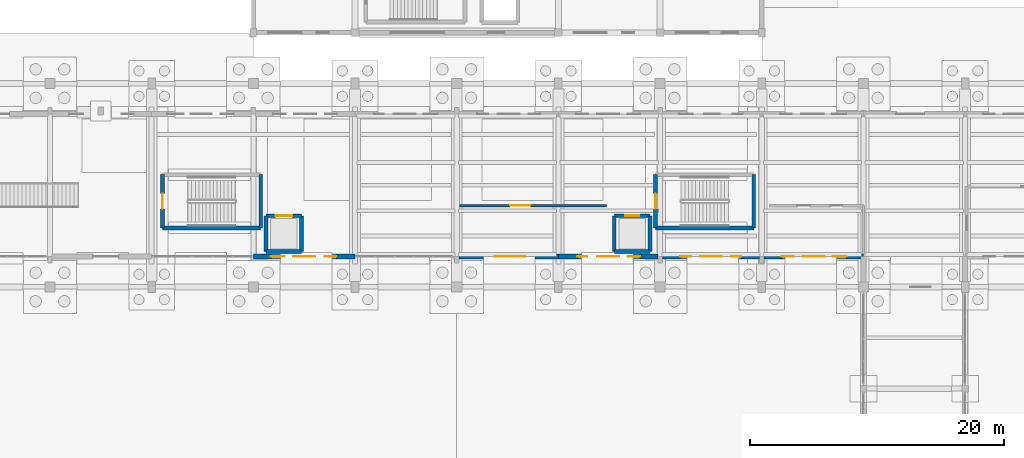
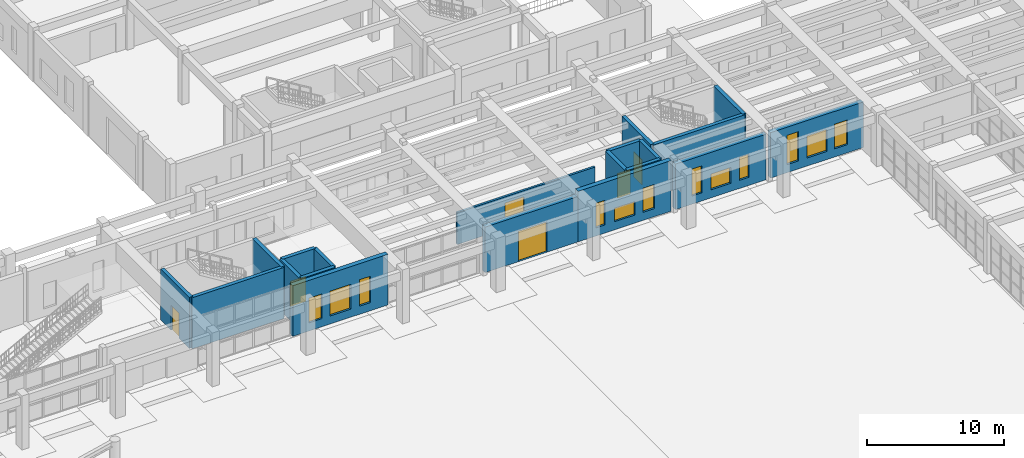
# One storey, part 46 of 68: 20 walls, 12 windows, 6 doors, 18 openings.
"""IFC4 building model written with IfcOpenShell, lengths in metres."""

from ifc_helpers import new_model, si_unit, direction, frame, frame_2d, origin, place, context, subcontext, project, spatial, rectangle, extrude, material, layer, layer_set, type_object, element, fill, save


model = new_model("IFC4")

# Units and contexts
model_context = context("Model", 3, precision=1e-05, world=origin(), true_north=direction((0.0, 1.0)))
body_context = subcontext(model_context, "Body", "Model", "MODEL_VIEW")
ifc_project = project(units=[si_unit("LENGTHUNIT", "METRE"), si_unit("AREAUNIT", "SQUARE_METRE"), si_unit("VOLUMEUNIT", "CUBIC_METRE"), si_unit("PLANEANGLEUNIT", "RADIAN"), si_unit("MASSUNIT", "GRAM", prefix="KILO")], contexts=[model_context])

# Site, building, storey
site_placement = place(None, origin())
site = spatial("IfcSite", under=ifc_project, at=site_placement, CompositionType="ELEMENT")
building_placement = place(site_placement, origin())
building = spatial("IfcBuilding", under=site, at=building_placement, Name="Serraluz Foothill Cableway Terminal", CompositionType="ELEMENT")
storey_placement = place(building_placement, origin())
storey = spatial("IfcBuildingStorey", under=building, at=storey_placement, Name="L00", CompositionType="ELEMENT", Elevation=0.0)

# Wall, openings, windows
ifc_material_1 = material(Name="Dark clinker clay masonry brick (f'm 14 MPa)", Category="masonry")
ifc_layer_1 = layer(ifc_material_1, 0.3798828125, Name="Dark clinker clay masonry brick (f'm 14 MPa)", Category="masonry")
ifc_layer_set_1 = layer_set([ifc_layer_1], Name="Dark clinker clay masonry brick (f'm 14 MPa)")
wall_type_1 = type_object("IfcWallType", Name="TYP-WL-EXT-380", PredefinedType="STANDARD", material=ifc_layer_set_1)
wall_1_placement = place(storey_placement, frame((80.0, 58.39990234375, 0.0), z_axis=(0.0, 0.0, 1.0), x_axis=(-1.0, 0.0, 0.0)))
wall_1 = element("IfcWall", 1, at=wall_1_placement, inside=storey, type_object=wall_type_1, Name="Exterior Masonry Wall EW-V1S-L00-72", PredefinedType="STANDARD", context=body_context, shape_type="SweptSolid", body=[
    extrude(rectangle(XDim=8.0, YDim=0.3798828125, at=frame_2d((4.0, 0.0))), origin(), (0.0, 0.0, 1.0), 4.5),
])
opening_1_placement = place(wall_1_placement, frame((1.469970703125, 0.0, 0.719970703125)))
opening_1 = element("IfcOpeningElement", 2, at=opening_1_placement, cuts=wall_1, Name="Opening W-37", PredefinedType="OPENING", context=body_context, shape_type="SweptSolid", body=[
    extrude(rectangle(XDim=0.89990234375, YDim=2.35009765625, at=frame_2d((0.449951171875, 1.175048828125))), frame((0.0, 0.199951171875, 0.0), z_axis=(0.0, -1.0, 0.0), x_axis=(1.0, 0.0, 0.0)), (0.0, 0.0, 1.0), 0.39990234375),
])
opening_2_placement = place(wall_1_placement, frame((3.1201171875, 0.0, 0.719970703125)))
opening_2 = element("IfcOpeningElement", 3, at=opening_2_placement, cuts=wall_1, Name="Opening W-10", PredefinedType="OPENING", context=body_context, shape_type="SweptSolid", body=[
    extrude(rectangle(XDim=1.760009765625, YDim=2.199951171875, at=frame_2d((0.8798828125, 1.10009765625))), frame((0.0, 0.199951171875, 0.0), z_axis=(0.0, -1.0, 0.0), x_axis=(1.0, 0.0, 0.0)), (0.0, 0.0, 1.0), 0.39990234375),
])
opening_3_placement = place(wall_1_placement, frame((5.530029296875, 0.0, 0.719970703125)))
opening_3 = element("IfcOpeningElement", 4, at=opening_3_placement, cuts=wall_1, Name="Opening W-04", PredefinedType="OPENING", context=body_context, shape_type="SweptSolid", body=[
    extrude(rectangle(XDim=1.10009765625, YDim=2.199951171875, at=frame_2d((0.550048828125, 1.10009765625))), frame((0.0, 0.199951171875, 0.0), z_axis=(0.0, -1.0, 0.0), x_axis=(1.0, 0.0, 0.0)), (0.0, 0.0, 1.0), 0.39990234375),
])
ifc_material_2 = material(Name="Laminated low-E safety glass", Category="glass")
window_type_1 = type_object("IfcWindowType", Name="TYP-WN-090X235", PartitioningType="SINGLE_PANEL", PredefinedType="WINDOW", material=ifc_material_2)
window_1_placement = place(opening_1_placement, origin())
window_1 = element("IfcWindow", 5, at=window_1_placement, inside=storey, type_object=window_type_1, Name="Exterior Window EW-V1S-L00-72-WN1", OverallHeight=2.35009765625, OverallWidth=0.89990234375, PartitioningType="SINGLE_PANEL", PredefinedType="WINDOW", context=body_context, shape_type="SweptSolid", body=[
    extrude(rectangle(XDim=0.89990234375, YDim=2.35009765625, at=frame_2d((0.449951171875, 1.175048828125))), frame((0.0, 0.030029296875, 0.0), z_axis=(0.0, -1.0, 0.0), x_axis=(1.0, 0.0, 0.0)), (0.0, 0.0, 1.0), 0.06005859375),
])
fill(opening_1, window_1)
window_type_2 = type_object("IfcWindowType", Name="TYP-WN-110X220", PartitioningType="SINGLE_PANEL", PredefinedType="WINDOW", material=ifc_material_2)
window_2_placement = place(opening_3_placement, origin())
window_2 = element("IfcWindow", 6, at=window_2_placement, inside=storey, type_object=window_type_2, Name="Exterior Window EW-V1S-L00-72-WN3", OverallHeight=2.199951171875, OverallWidth=1.10009765625, PartitioningType="SINGLE_PANEL", PredefinedType="WINDOW", context=body_context, shape_type="SweptSolid", body=[
    extrude(rectangle(XDim=1.10009765625, YDim=2.199951171875, at=frame_2d((0.550048828125, 1.10009765625))), frame((0.0, 0.030029296875, 0.0), z_axis=(0.0, -1.0, 0.0), x_axis=(1.0, 0.0, 0.0)), (0.0, 0.0, 1.0), 0.06005859375),
])
fill(opening_3, window_2)
window_type_3 = type_object("IfcWindowType", Name="TYP-WN-180X220", PartitioningType="DOUBLE_PANEL_VERTICAL", PredefinedType="WINDOW", material=ifc_material_2)
window_3_placement = place(opening_2_placement, origin())
window_3 = element("IfcWindow", 7, at=window_3_placement, inside=storey, type_object=window_type_3, Name="Exterior Window EW-V1S-L00-72-WN2", OverallHeight=2.199951171875, OverallWidth=1.760009765625, PartitioningType="SINGLE_PANEL", PredefinedType="WINDOW", context=body_context, shape_type="SweptSolid", body=[
    extrude(rectangle(XDim=1.760009765625, YDim=2.199951171875, at=frame_2d((0.8798828125, 1.10009765625))), frame((0.0, 0.030029296875, 0.0), z_axis=(0.0, -1.0, 0.0), x_axis=(1.0, 0.0, 0.0)), (0.0, 0.0, 1.0), 0.06005859375),
])
fill(opening_2, window_3)

# Wall, opening, door
wall_2_placement = place(storey_placement, frame((96.0, 58.39990234375, 0.0), z_axis=(0.0, 0.0, 1.0), x_axis=(-1.0, 0.0, 0.0)))
wall_2 = element("IfcWall", 8, at=wall_2_placement, inside=storey, type_object=wall_type_1, Name="Exterior Masonry Wall EW-V1S-L00-88", PredefinedType="STANDARD", context=body_context, shape_type="SweptSolid", body=[
    extrude(rectangle(XDim=7.824951171875, YDim=0.3798828125, at=frame_2d((3.91259765625, 0.0))), origin(), (0.0, 0.0, 1.0), 4.050048828125),
])
opening_4_placement = place(wall_2_placement, frame((2.60009765625, 0.0, 0.0)))
opening_4 = element("IfcOpeningElement", 9, at=opening_4_placement, cuts=wall_2, Name="Opening DE-03", PredefinedType="OPENING", context=body_context, shape_type="SweptSolid", body=[
    extrude(rectangle(XDim=2.39990234375, YDim=2.699951171875, at=frame_2d((1.199951171875, 1.35009765625))), frame((0.0, 0.199951171875, 0.0), z_axis=(0.0, -1.0, 0.0), x_axis=(1.0, 0.0, 0.0)), (0.0, 0.0, 1.0), 0.39990234375),
])
ifc_material_3 = material(Name="Architectural bronze alloy C28000", Category="aluminium")
door_type_1 = type_object("IfcDoorType", Name="TYP-DR-EX-2400", OperationType="DOUBLE_DOOR_SINGLE_SWING", PredefinedType="DOOR", material=ifc_material_3)
door_1_placement = place(opening_4_placement, origin())
door_1 = element("IfcDoor", 10, at=door_1_placement, inside=storey, type_object=door_type_1, Name="Main pedestrian exit door D-EX04", OperationType="DOUBLE_DOOR_SINGLE_SWING", OverallHeight=2.699951171875, OverallWidth=2.39990234375, PredefinedType="DOOR", context=body_context, shape_type="SweptSolid", body=[
    extrude(rectangle(XDim=2.39990234375, YDim=2.699951171875, at=frame_2d((1.199951171875, 1.35009765625))), frame((0.0, 0.02490234375, 0.0), z_axis=(0.0, -1.0, 0.0), x_axis=(1.0, 0.0, 0.0)), (0.0, 0.0, 1.0), 0.050048828125),
])
fill(opening_4, door_1)

# Wall, openings, windows
wall_3_placement = place(storey_placement, frame((103.824951171875, 58.39990234375, 0.0), z_axis=(0.0, 0.0, 1.0), x_axis=(-1.0, 0.0, 0.0)))
wall_3 = element("IfcWall", 11, at=wall_3_placement, inside=storey, type_object=wall_type_1, Name="Exterior Masonry Wall EW-V1S-L00-96", PredefinedType="STANDARD", context=body_context, shape_type="SweptSolid", body=[
    extrude(rectangle(XDim=7.824951171875, YDim=0.3798828125, at=frame_2d((3.91259765625, 0.0))), origin(), (0.0, 0.0, 1.0), 4.5),
])
opening_5_placement = place(wall_3_placement, frame((1.387939453125, 0.0, 0.719970703125)))
opening_5 = element("IfcOpeningElement", 12, at=opening_5_placement, cuts=wall_3, Name="Opening W-49", PredefinedType="OPENING", context=body_context, shape_type="SweptSolid", body=[
    extrude(rectangle(XDim=0.97998046875, YDim=2.14990234375, at=frame_2d((0.489990234375, 1.074951171875))), frame((0.0, 0.199951171875, 0.0), z_axis=(0.0, -1.0, 0.0), x_axis=(1.0, 0.0, 0.0)), (0.0, 0.0, 1.0), 0.39990234375),
])
opening_6_placement = place(wall_3_placement, frame((3.051513671875, 0.0, 0.719970703125)))
opening_6 = element("IfcOpeningElement", 13, at=opening_6_placement, cuts=wall_3, Name="Opening W-19", PredefinedType="OPENING", context=body_context, shape_type="SweptSolid", body=[
    extrude(rectangle(XDim=1.721923828125, YDim=1.199951171875, at=frame_2d((0.86083984375, 0.60009765625))), frame((0.0, 0.199951171875, 0.0), z_axis=(0.0, -1.0, 0.0), x_axis=(1.0, 0.0, 0.0)), (0.0, 0.0, 1.0), 0.39990234375),
])
opening_7_placement = place(wall_3_placement, frame((5.572021484375, 0.0, 0.719970703125)))
opening_7 = element("IfcOpeningElement", 14, at=opening_7_placement, cuts=wall_3, Name="Opening W-01", PredefinedType="OPENING", context=body_context, shape_type="SweptSolid", body=[
    extrude(rectangle(XDim=0.75, YDim=2.199951171875, at=frame_2d((0.375, 1.10009765625))), frame((0.0, 0.199951171875, 0.0), z_axis=(0.0, -1.0, 0.0), x_axis=(1.0, 0.0, 0.0)), (0.0, 0.0, 1.0), 0.39990234375),
])
window_type_4 = type_object("IfcWindowType", Name="TYP-WN-075X220", PartitioningType="SINGLE_PANEL", PredefinedType="WINDOW", material=ifc_material_2)
window_4_placement = place(opening_7_placement, origin())
window_4 = element("IfcWindow", 15, at=window_4_placement, inside=storey, type_object=window_type_4, Name="Exterior Window EW-V1S-L00-96-WN3", OverallHeight=2.199951171875, OverallWidth=0.75, PartitioningType="SINGLE_PANEL", PredefinedType="WINDOW", context=body_context, shape_type="SweptSolid", body=[
    extrude(rectangle(XDim=0.75, YDim=2.199951171875, at=frame_2d((0.375, 1.10009765625))), frame((0.0, 0.030029296875, 0.0), z_axis=(0.0, -1.0, 0.0), x_axis=(1.0, 0.0, 0.0)), (0.0, 0.0, 1.0), 0.06005859375),
])
fill(opening_7, window_4)
window_type_5 = type_object("IfcWindowType", Name="TYP-WN-098X215", PartitioningType="SINGLE_PANEL", PredefinedType="WINDOW", material=ifc_material_2)
window_5_placement = place(opening_5_placement, origin())
window_5 = element("IfcWindow", 16, at=window_5_placement, inside=storey, type_object=window_type_5, Name="Exterior Window EW-V1S-L00-96-WN1", OverallHeight=2.14990234375, OverallWidth=0.97998046875, PartitioningType="SINGLE_PANEL", PredefinedType="WINDOW", context=body_context, shape_type="SweptSolid", body=[
    extrude(rectangle(XDim=0.97998046875, YDim=2.14990234375, at=frame_2d((0.489990234375, 1.074951171875))), frame((0.0, 0.030029296875, 0.0), z_axis=(0.0, -1.0, 0.0), x_axis=(1.0, 0.0, 0.0)), (0.0, 0.0, 1.0), 0.06005859375),
])
fill(opening_5, window_5)
window_type_6 = type_object("IfcWindowType", Name="TYP-WN-360X120", PartitioningType="DOUBLE_PANEL_HORIZONTAL", PredefinedType="WINDOW", material=ifc_material_2)
window_6_placement = place(opening_6_placement, origin())
window_6 = element("IfcWindow", 17, at=window_6_placement, inside=storey, type_object=window_type_6, Name="Exterior Window EW-V1S-L00-96-WN2", OverallHeight=1.199951171875, OverallWidth=1.721923828125, PartitioningType="SINGLE_PANEL", PredefinedType="WINDOW", context=body_context, shape_type="SweptSolid", body=[
    extrude(rectangle(XDim=1.721923828125, YDim=1.199951171875, at=frame_2d((0.86083984375, 0.60009765625))), frame((0.0, 0.030029296875, 0.0), z_axis=(0.0, -1.0, 0.0), x_axis=(1.0, 0.0, 0.0)), (0.0, 0.0, 1.0), 0.06005859375),
])
fill(opening_6, window_6)

wall_4_placement = place(storey_placement, frame((111.824951171875, 58.39990234375, 0.0), z_axis=(0.0, 0.0, 1.0), x_axis=(-1.0, 0.0, 0.0)))
wall_4 = element("IfcWall", 18, at=wall_4_placement, inside=storey, type_object=wall_type_1, Name="Exterior Masonry Wall EW-V1S-L00-104", PredefinedType="STANDARD", context=body_context, shape_type="SweptSolid", body=[
    extrude(rectangle(XDim=7.64990234375, YDim=0.3798828125, at=frame_2d((3.824951171875, 0.0))), origin(), (0.0, 0.0, 1.0), 4.050048828125),
])
opening_8_placement = place(wall_4_placement, frame((1.43603515625, 0.0, 0.719970703125)))
opening_8 = element("IfcOpeningElement", 19, at=opening_8_placement, cuts=wall_4, Name="Opening W-36", PredefinedType="OPENING", context=body_context, shape_type="SweptSolid", body=[
    extrude(rectangle(XDim=0.800048828125, YDim=2.050048828125, at=frame_2d((0.39990234375, 1.02490234375))), frame((0.0, 0.199951171875, 0.0), z_axis=(0.0, -1.0, 0.0), x_axis=(1.0, 0.0, 0.0)), (0.0, 0.0, 1.0), 0.39990234375),
])
opening_9_placement = place(wall_4_placement, frame((2.9833984375, 0.0, 0.719970703125)))
opening_9 = element("IfcOpeningElement", 20, at=opening_9_placement, cuts=wall_4, Name="Opening W-23", PredefinedType="OPENING", context=body_context, shape_type="SweptSolid", body=[
    extrude(rectangle(XDim=1.68310546875, YDim=1.39990234375, at=frame_2d((0.841552734375, 0.699951171875))), frame((0.0, 0.199951171875, 0.0), z_axis=(0.0, -1.0, 0.0), x_axis=(1.0, 0.0, 0.0)), (0.0, 0.0, 1.0), 0.39990234375),
])
opening_10_placement = place(wall_4_placement, frame((5.388916015625, 0.0, 0.719970703125)))
opening_10 = element("IfcOpeningElement", 21, at=opening_10_placement, cuts=wall_4, Name="Opening W-02", PredefinedType="OPENING", context=body_context, shape_type="SweptSolid", body=[
    extrude(rectangle(XDim=0.85009765625, YDim=2.39990234375, at=frame_2d((0.425048828125, 1.199951171875))), frame((0.0, 0.199951171875, 0.0), z_axis=(0.0, -1.0, 0.0), x_axis=(1.0, 0.0, 0.0)), (0.0, 0.0, 1.0), 0.39990234375),
])
window_type_7 = type_object("IfcWindowType", Name="TYP-WN-080X205", PartitioningType="SINGLE_PANEL", PredefinedType="WINDOW", material=ifc_material_2)
window_7_placement = place(opening_8_placement, origin())
window_7 = element("IfcWindow", 22, at=window_7_placement, inside=storey, type_object=window_type_7, Name="Exterior Window EW-V1S-L00-104-WN1", OverallHeight=2.050048828125, OverallWidth=0.800048828125, PartitioningType="SINGLE_PANEL", PredefinedType="WINDOW", context=body_context, shape_type="SweptSolid", body=[
    extrude(rectangle(XDim=0.800048828125, YDim=2.050048828125, at=frame_2d((0.39990234375, 1.02490234375))), frame((0.0, 0.030029296875, 0.0), z_axis=(0.0, -1.0, 0.0), x_axis=(1.0, 0.0, 0.0)), (0.0, 0.0, 1.0), 0.06005859375),
])
fill(opening_8, window_7)
window_type_8 = type_object("IfcWindowType", Name="TYP-WN-085X240", PartitioningType="SINGLE_PANEL", PredefinedType="WINDOW", material=ifc_material_2)
window_8_placement = place(opening_10_placement, origin())
window_8 = element("IfcWindow", 23, at=window_8_placement, inside=storey, type_object=window_type_8, Name="Exterior Window EW-V1S-L00-104-WN3", OverallHeight=2.39990234375, OverallWidth=0.85009765625, PartitioningType="SINGLE_PANEL", PredefinedType="WINDOW", context=body_context, shape_type="SweptSolid", body=[
    extrude(rectangle(XDim=0.85009765625, YDim=2.39990234375, at=frame_2d((0.425048828125, 1.199951171875))), frame((0.0, 0.030029296875, 0.0), z_axis=(0.0, -1.0, 0.0), x_axis=(1.0, 0.0, 0.0)), (0.0, 0.0, 1.0), 0.06005859375),
])
fill(opening_10, window_8)
window_type_9 = type_object("IfcWindowType", Name="TYP-WN-450X140", PartitioningType="DOUBLE_PANEL_HORIZONTAL", PredefinedType="WINDOW", material=ifc_material_2)
window_9_placement = place(opening_9_placement, origin())
window_9 = element("IfcWindow", 24, at=window_9_placement, inside=storey, type_object=window_type_9, Name="Exterior Window EW-V1S-L00-104-WN2", OverallHeight=1.39990234375, OverallWidth=1.68310546875, PartitioningType="SINGLE_PANEL", PredefinedType="WINDOW", context=body_context, shape_type="SweptSolid", body=[
    extrude(rectangle(XDim=1.68310546875, YDim=1.39990234375, at=frame_2d((0.841552734375, 0.699951171875))), frame((0.0, 0.030029296875, 0.0), z_axis=(0.0, -1.0, 0.0), x_axis=(1.0, 0.0, 0.0)), (0.0, 0.0, 1.0), 0.06005859375),
])
fill(opening_9, window_9)

wall_5_placement = place(storey_placement, frame((120.0, 58.39990234375, 0.0), z_axis=(0.0, 0.0, 1.0), x_axis=(-1.0, 0.0, 0.0)))
wall_5 = element("IfcWall", 25, at=wall_5_placement, inside=storey, type_object=wall_type_1, Name="Exterior Masonry Wall EW-V1S-L00-112", PredefinedType="STANDARD", context=body_context, shape_type="SweptSolid", body=[
    extrude(rectangle(XDim=7.824951171875, YDim=0.3798828125, at=frame_2d((3.91259765625, 0.0))), origin(), (0.0, 0.0, 1.0), 4.050048828125),
])
opening_11_placement = place(wall_5_placement, frame((1.327880859375, 0.0, 0.719970703125)))
opening_11 = element("IfcOpeningElement", 26, at=opening_11_placement, cuts=wall_5, Name="Opening W-04", PredefinedType="OPENING", context=body_context, shape_type="SweptSolid", body=[
    extrude(rectangle(XDim=1.10009765625, YDim=2.199951171875, at=frame_2d((0.550048828125, 1.10009765625))), frame((0.0, 0.199951171875, 0.0), z_axis=(0.0, -1.0, 0.0), x_axis=(1.0, 0.0, 0.0)), (0.0, 0.0, 1.0), 0.39990234375),
])
opening_12_placement = place(wall_5_placement, frame((3.0625, 0.0, 0.719970703125)))
opening_12 = element("IfcOpeningElement", 27, at=opening_12_placement, cuts=wall_5, Name="Opening W-27", PredefinedType="OPENING", context=body_context, shape_type="SweptSolid", body=[
    extrude(rectangle(XDim=1.699951171875, YDim=1.949951171875, at=frame_2d((0.85009765625, 0.97509765625))), frame((0.0, 0.199951171875, 0.0), z_axis=(0.0, -1.0, 0.0), x_axis=(1.0, 0.0, 0.0)), (0.0, 0.0, 1.0), 0.39990234375),
])
opening_13_placement = place(wall_5_placement, frame((5.471923828125, 0.0, 0.719970703125)))
opening_13 = element("IfcOpeningElement", 28, at=opening_13_placement, cuts=wall_5, Name="Opening W-03", PredefinedType="OPENING", context=body_context, shape_type="SweptSolid", body=[
    extrude(rectangle(XDim=0.949951171875, YDim=2.60009765625, at=frame_2d((0.47509765625, 1.300048828125))), frame((0.0, 0.199951171875, 0.0), z_axis=(0.0, -1.0, 0.0), x_axis=(1.0, 0.0, 0.0)), (0.0, 0.0, 1.0), 0.39990234375),
])
window_type_10 = type_object("IfcWindowType", Name="TYP-WN-095X260", PartitioningType="SINGLE_PANEL", PredefinedType="WINDOW", material=ifc_material_2)
window_10_placement = place(opening_13_placement, origin())
window_10 = element("IfcWindow", 29, at=window_10_placement, inside=storey, type_object=window_type_10, Name="Exterior Window EW-V1S-L00-112-WN3", OverallHeight=2.60009765625, OverallWidth=0.949951171875, PartitioningType="SINGLE_PANEL", PredefinedType="WINDOW", context=body_context, shape_type="SweptSolid", body=[
    extrude(rectangle(XDim=0.949951171875, YDim=2.60009765625, at=frame_2d((0.47509765625, 1.300048828125))), frame((0.0, 0.030029296875, 0.0), z_axis=(0.0, -1.0, 0.0), x_axis=(1.0, 0.0, 0.0)), (0.0, 0.0, 1.0), 0.06005859375),
])
fill(opening_13, window_10)
window_11_placement = place(opening_11_placement, origin())
window_11 = element("IfcWindow", 30, at=window_11_placement, inside=storey, type_object=window_type_2, Name="Exterior Window EW-V1S-L00-112-WN1", OverallHeight=2.199951171875, OverallWidth=1.10009765625, PartitioningType="SINGLE_PANEL", PredefinedType="WINDOW", context=body_context, shape_type="SweptSolid", body=[
    extrude(rectangle(XDim=1.10009765625, YDim=2.199951171875, at=frame_2d((0.550048828125, 1.10009765625))), frame((0.0, 0.030029296875, 0.0), z_axis=(0.0, -1.0, 0.0), x_axis=(1.0, 0.0, 0.0)), (0.0, 0.0, 1.0), 0.06005859375),
])
fill(opening_11, window_11)
window_type_11 = type_object("IfcWindowType", Name="TYP-WN-170X195", PartitioningType="DOUBLE_PANEL_VERTICAL", PredefinedType="WINDOW", material=ifc_material_2)
window_12_placement = place(opening_12_placement, origin())
window_12 = element("IfcWindow", 31, at=window_12_placement, inside=storey, type_object=window_type_11, Name="Exterior Window EW-V1S-L00-112-WN2", OverallHeight=1.949951171875, OverallWidth=1.699951171875, PartitioningType="SINGLE_PANEL", PredefinedType="WINDOW", context=body_context, shape_type="SweptSolid", body=[
    extrude(rectangle(XDim=1.699951171875, YDim=1.949951171875, at=frame_2d((0.85009765625, 0.97509765625))), frame((0.0, 0.030029296875, 0.0), z_axis=(0.0, -1.0, 0.0), x_axis=(1.0, 0.0, 0.0)), (0.0, 0.0, 1.0), 0.06005859375),
])
fill(opening_12, window_12)

# Wall, opening, door
ifc_material_4 = material(Name="Fired clay masonry brick (f'm 12 MPa)", Category="masonry")
ifc_layer_2 = layer(ifc_material_4, 0.179931640625, Name="Fired clay masonry brick (f'm 12 MPa)", Category="masonry")
ifc_layer_set_2 = layer_set([ifc_layer_2], Name="Fired clay masonry brick (f'm 12 MPa)")
wall_type_2 = type_object("IfcWallType", Name="TYP-WL-PRT-180", PredefinedType="PARTITIONING", material=ifc_layer_set_2)
wall_6_placement = place(storey_placement, frame((88.199951171875, 62.39990234375, 0.0), z_axis=(0.0, 0.0, 1.0), x_axis=(1.0, 0.0, 0.0)))
wall_6 = element("IfcWall", 32, at=wall_6_placement, inside=storey, type_object=wall_type_2, Name="Interior Partition PT-L00-02", PredefinedType="PARTITIONING", context=body_context, shape_type="SweptSolid", body=[
    extrude(rectangle(XDim=11.60009765625, YDim=0.179931640625, at=frame_2d((5.800048828125, 0.0))), origin(), (0.0, 0.0, 1.0), 2.842041015625),
])
opening_14_placement = place(wall_6_placement, frame((4.0, 0.0, 0.0)))
opening_14 = element("IfcOpeningElement", 33, at=opening_14_placement, cuts=wall_6, Name="Opening DI-05", PredefinedType="OPENING", context=body_context, shape_type="SweptSolid", body=[
    extrude(rectangle(XDim=1.60009765625, YDim=2.300048828125, at=frame_2d((0.800048828125, 1.14990234375))), frame((0.0, 0.10009765625, 0.0), z_axis=(0.0, -1.0, 0.0), x_axis=(1.0, 0.0, 0.0)), (0.0, 0.0, 1.0), 0.199951171875),
])
door_type_2 = type_object("IfcDoorType", Name="TYP-DR-DBL-1600", OperationType="DOUBLE_DOOR_SINGLE_SWING", PredefinedType="DOOR", material=ifc_material_3)
door_2_placement = place(opening_14_placement, origin())
door_2 = element("IfcDoor", 34, at=door_2_placement, inside=storey, type_object=door_type_2, Name="Interior Door PT-L00-02-DR1", OperationType="DOUBLE_DOOR_SINGLE_SWING", OverallHeight=2.300048828125, OverallWidth=1.60009765625, PredefinedType="DOOR", context=body_context, shape_type="SweptSolid", body=[
    extrude(rectangle(XDim=1.60009765625, YDim=2.300048828125, at=frame_2d((0.800048828125, 1.14990234375))), frame((0.0, 0.02490234375, 0.0), z_axis=(0.0, -1.0, 0.0), x_axis=(1.0, 0.0, 0.0)), (0.0, 0.0, 1.0), 0.050048828125),
])
fill(opening_14, door_2)

# Wall
ifc_material_5 = material(Name="Concrete C35/45 (f'c 35 MPa)", Category="concrete")
ifc_layer_3 = layer(ifc_material_5, 0.300048828125, Name="Concrete C35/45 (f'c 35 MPa)", Category="concrete")
ifc_layer_set_3 = layer_set([ifc_layer_3], Name="Concrete C35/45 (f'c 35 MPa)")
wall_type_3 = type_object("IfcWallType", Name="TYP-WL-SHR-350", PredefinedType="SHEAR", material=ifc_layer_set_3)
wall_7_placement = place(storey_placement, frame((72.574951171875, 60.64990234375, 0.0), z_axis=(0.0, 0.0, 1.0), x_axis=(-1.0, 0.0, 0.0)))
element("IfcWall", 35, at=wall_7_placement, inside=storey, type_object=wall_type_3, Name="Stair Core Shear Wall CW-ST-03-L00-S", PredefinedType="SHEAR", context=body_context, shape_type="SweptSolid", body=[
    extrude(rectangle(XDim=7.724853515625, YDim=0.300048828125, at=frame_2d((3.8623046875, 0.0))), origin(), (0.0, 0.0, 1.0), 4.5400390625),
])

# Wall, opening, door
wall_8_placement = place(storey_placement, frame((64.85009765625, 60.64990234375, 0.0), z_axis=(0.0, 0.0, 1.0), x_axis=(0.0, 1.0, 0.0)))
wall_8 = element("IfcWall", 36, at=wall_8_placement, inside=storey, type_object=wall_type_3, Name="Stair Core Shear Wall CW-ST-03-L00-W", PredefinedType="SHEAR", context=body_context, shape_type="SweptSolid", body=[
    extrude(rectangle(XDim=4.18017578125, YDim=0.300048828125, at=frame_2d((2.090087890625, 0.0))), origin(), (0.0, 0.0, 1.0), 4.5400390625),
])
opening_15_placement = place(wall_8_placement, frame((1.489990234375, 0.0, 0.0)))
opening_15 = element("IfcOpeningElement", 37, at=opening_15_placement, cuts=wall_8, Name="Opening DF-08", PredefinedType="OPENING", context=body_context, shape_type="SweptSolid", body=[
    extrude(rectangle(XDim=1.199951171875, YDim=2.25, at=frame_2d((0.60009765625, 1.125))), frame((0.0, 0.16015625, 0.0), z_axis=(0.0, -1.0, 0.0), x_axis=(1.0, 0.0, 0.0)), (0.0, 0.0, 1.0), 0.320068359375),
])
ifc_material_6 = material(Name="Galvanized hollow-metal steel sheet", Category="steel")
door_type_3 = type_object("IfcDoorType", Name="TYP-DR-FD60-1200", OperationType="NOTDEFINED", PredefinedType="DOOR", material=ifc_material_6)
door_3_placement = place(opening_15_placement, origin())
door_3 = element("IfcDoor", 38, at=door_3_placement, inside=storey, type_object=door_type_3, Name="Exit Stair Fire Door ST-03 L00", OperationType="SINGLE_SWING_RIGHT", OverallHeight=2.25, OverallWidth=1.199951171875, PredefinedType="DOOR", context=body_context, shape_type="SweptSolid", body=[
    extrude(rectangle(XDim=1.199951171875, YDim=2.25, at=frame_2d((0.60009765625, 1.125))), frame((0.0, 0.02490234375, 0.0), z_axis=(0.0, -1.0, 0.0), x_axis=(1.0, 0.0, 0.0)), (0.0, 0.0, 1.0), 0.050048828125),
])
fill(opening_15, door_3)

# Walls
wall_9_placement = place(storey_placement, frame((72.574951171875, 64.830078125, 0.0), z_axis=(0.0, 0.0, 1.0), x_axis=(0.0, -1.0, 0.0)))
element("IfcWall", 39, at=wall_9_placement, inside=storey, type_object=wall_type_3, Name="Stair Core Shear Wall CW-ST-03-L00-E", PredefinedType="SHEAR", context=body_context, shape_type="SweptSolid", body=[
    extrude(rectangle(XDim=4.18017578125, YDim=0.300048828125, at=frame_2d((2.090087890625, 0.0))), origin(), (0.0, 0.0, 1.0), 4.5400390625),
])
wall_10_placement = place(storey_placement, frame((111.375, 60.64990234375, 0.0), z_axis=(0.0, 0.0, 1.0), x_axis=(-1.0, 0.0, 0.0)))
element("IfcWall", 40, at=wall_10_placement, inside=storey, type_object=wall_type_3, Name="Stair Core Shear Wall CW-ST-04-L00-S", PredefinedType="SHEAR", context=body_context, shape_type="SweptSolid", body=[
    extrude(rectangle(XDim=7.72509765625, YDim=0.300048828125, at=frame_2d((3.862548828125, 0.0))), origin(), (0.0, 0.0, 1.0), 4.5400390625),
])

# Wall, opening, door
wall_11_placement = place(storey_placement, frame((103.64990234375, 60.64990234375, 0.0), z_axis=(0.0, 0.0, 1.0), x_axis=(0.0, 1.0, 0.0)))
wall_11 = element("IfcWall", 41, at=wall_11_placement, inside=storey, type_object=wall_type_3, Name="Stair Core Shear Wall CW-ST-04-L00-W", PredefinedType="SHEAR", context=body_context, shape_type="SweptSolid", body=[
    extrude(rectangle(XDim=4.18017578125, YDim=0.300048828125, at=frame_2d((2.090087890625, 0.0))), origin(), (0.0, 0.0, 1.0), 4.5400390625),
])
opening_16_placement = place(wall_11_placement, frame((1.489990234375, 0.0, 0.0)))
opening_16 = element("IfcOpeningElement", 42, at=opening_16_placement, cuts=wall_11, Name="Opening DF-08", PredefinedType="OPENING", context=body_context, shape_type="SweptSolid", body=[
    extrude(rectangle(XDim=1.199951171875, YDim=2.25, at=frame_2d((0.60009765625, 1.125))), frame((0.0, 0.16015625, 0.0), z_axis=(0.0, -1.0, 0.0), x_axis=(1.0, 0.0, 0.0)), (0.0, 0.0, 1.0), 0.320068359375),
])
door_4_placement = place(opening_16_placement, origin())
door_4 = element("IfcDoor", 43, at=door_4_placement, inside=storey, type_object=door_type_3, Name="Exit Stair Fire Door ST-04 L00", OperationType="SINGLE_SWING_LEFT", OverallHeight=2.25, OverallWidth=1.199951171875, PredefinedType="DOOR", context=body_context, shape_type="SweptSolid", body=[
    extrude(rectangle(XDim=1.199951171875, YDim=2.25, at=frame_2d((0.60009765625, 1.125))), frame((0.0, 0.02490234375, 0.0), z_axis=(0.0, -1.0, 0.0), x_axis=(1.0, 0.0, 0.0)), (0.0, 0.0, 1.0), 0.050048828125),
])
fill(opening_16, door_4)

# Walls
wall_12_placement = place(storey_placement, frame((111.375, 64.830078125, 0.0), z_axis=(0.0, 0.0, 1.0), x_axis=(0.0, -1.0, 0.0)))
element("IfcWall", 44, at=wall_12_placement, inside=storey, type_object=wall_type_3, Name="Stair Core Shear Wall CW-ST-04-L00-E", PredefinedType="SHEAR", context=body_context, shape_type="SweptSolid", body=[
    extrude(rectangle(XDim=4.18017578125, YDim=0.300048828125, at=frame_2d((2.090087890625, 0.0))), origin(), (0.0, 0.0, 1.0), 4.5400390625),
])
for number, where, z_axis, x_axis, name in (
    (45, (75.800048828125, 58.800048828125, 0.0), (0.0, 0.0, 1.0), (-1.0, 0.0, 0.0), "Lift Shaft Shear Wall LW-LF-03-L00-S"),
    (46, (73.0, 58.800048828125, 0.0), (0.0, 0.0, 1.0), (0.0, 1.0, 0.0), "Lift Shaft Shear Wall LW-LF-03-L00-W"),
):
    element("IfcWall", number, at=place(storey_placement, frame(where, z_axis=z_axis, x_axis=x_axis)), inside=storey, type_object=wall_type_3, Name=name, PredefinedType="SHEAR", context=body_context, shape_type="SweptSolid", body=[
        extrude(rectangle(XDim=2.800048828125, YDim=0.300048828125, at=frame_2d((1.39990234375, 0.0))), origin(), (0.0, 0.0, 1.0), 4.5400390625),
    ])

# Wall, opening, door
wall_13_placement = place(storey_placement, frame((73.0, 61.60009765625, 0.0), z_axis=(0.0, 0.0, 1.0), x_axis=(1.0, 0.0, 0.0)))
wall_13 = element("IfcWall", 47, at=wall_13_placement, inside=storey, type_object=wall_type_3, Name="Lift Shaft Shear Wall LW-LF-03-L00-N", PredefinedType="SHEAR", context=body_context, shape_type="SweptSolid", body=[
    extrude(rectangle(XDim=2.800048828125, YDim=0.300048828125, at=frame_2d((1.39990234375, 0.0))), origin(), (0.0, 0.0, 1.0), 4.5400390625),
])
opening_17_placement = place(wall_13_placement, frame((0.75, 0.0, 0.0)))
opening_17 = element("IfcOpeningElement", 48, at=opening_17_placement, cuts=wall_13, Name="Opening LD-02", PredefinedType="OPENING", context=body_context, shape_type="SweptSolid", body=[
    extrude(rectangle(XDim=1.300048828125, YDim=2.25, at=frame_2d((0.64990234375, 1.125))), frame((0.0, 0.16015625, 0.0), z_axis=(0.0, -1.0, 0.0), x_axis=(1.0, 0.0, 0.0)), (0.0, 0.0, 1.0), 0.320068359375),
])
door_type_4 = type_object("IfcDoorType", Name="TYP-DR-LD-1300", OperationType="DOUBLE_DOOR_SLIDING", PredefinedType="DOOR", material=ifc_material_6)
door_5_placement = place(opening_17_placement, origin())
door_5 = element("IfcDoor", 49, at=door_5_placement, inside=storey, type_object=door_type_4, Name="Lift Sliding Landing Door LF-03 L00", OperationType="DOUBLE_DOOR_SLIDING", OverallHeight=2.25, OverallWidth=1.300048828125, PredefinedType="DOOR", context=body_context, shape_type="SweptSolid", body=[
    extrude(rectangle(XDim=1.300048828125, YDim=2.25, at=frame_2d((0.64990234375, 1.125))), frame((0.0, 0.02490234375, 0.0), z_axis=(0.0, -1.0, 0.0), x_axis=(1.0, 0.0, 0.0)), (0.0, 0.0, 1.0), 0.050048828125),
])
fill(opening_17, door_5)

# Walls
for number, where, z_axis, x_axis, name in (
    (50, (75.800048828125, 61.60009765625, 0.0), (0.0, 0.0, 1.0), (0.0, -1.0, 0.0), "Lift Shaft Shear Wall LW-LF-03-L00-E"),
    (51, (103.199951171875, 58.800048828125, 0.0), (0.0, 0.0, 1.0), (-1.0, 0.0, 0.0), "Lift Shaft Shear Wall LW-LF-04-L00-S"),
    (52, (100.39990234375, 58.800048828125, 0.0), (0.0, 0.0, 1.0), (0.0, 1.0, 0.0), "Lift Shaft Shear Wall LW-LF-04-L00-W"),
):
    element("IfcWall", number, at=place(storey_placement, frame(where, z_axis=z_axis, x_axis=x_axis)), inside=storey, type_object=wall_type_3, Name=name, PredefinedType="SHEAR", context=body_context, shape_type="SweptSolid", body=[
        extrude(rectangle(XDim=2.800048828125, YDim=0.300048828125, at=frame_2d((1.39990234375, 0.0))), origin(), (0.0, 0.0, 1.0), 4.5400390625),
    ])

# Wall, opening, door
wall_14_placement = place(storey_placement, frame((100.39990234375, 61.60009765625, 0.0), z_axis=(0.0, 0.0, 1.0), x_axis=(1.0, 0.0, 0.0)))
wall_14 = element("IfcWall", 53, at=wall_14_placement, inside=storey, type_object=wall_type_3, Name="Lift Shaft Shear Wall LW-LF-04-L00-N", PredefinedType="SHEAR", context=body_context, shape_type="SweptSolid", body=[
    extrude(rectangle(XDim=2.800048828125, YDim=0.300048828125, at=frame_2d((1.39990234375, 0.0))), origin(), (0.0, 0.0, 1.0), 4.5400390625),
])
opening_18_placement = place(wall_14_placement, frame((0.85009765625, 0.0, 0.0)))
opening_18 = element("IfcOpeningElement", 54, at=opening_18_placement, cuts=wall_14, Name="Opening LD-01", PredefinedType="OPENING", context=body_context, shape_type="SweptSolid", body=[
    extrude(rectangle(XDim=1.10009765625, YDim=2.199951171875, at=frame_2d((0.550048828125, 1.10009765625))), frame((0.0, 0.16015625, 0.0), z_axis=(0.0, -1.0, 0.0), x_axis=(1.0, 0.0, 0.0)), (0.0, 0.0, 1.0), 0.320068359375),
])
door_type_5 = type_object("IfcDoorType", Name="TYP-DR-LD-1100", OperationType="DOUBLE_DOOR_SLIDING", PredefinedType="DOOR", material=ifc_material_6)
door_6_placement = place(opening_18_placement, origin())
door_6 = element("IfcDoor", 55, at=door_6_placement, inside=storey, type_object=door_type_5, Name="Lift Sliding Landing Door LF-04 L00", OperationType="DOUBLE_DOOR_SLIDING", OverallHeight=2.199951171875, OverallWidth=1.10009765625, PredefinedType="DOOR", context=body_context, shape_type="SweptSolid", body=[
    extrude(rectangle(XDim=1.10009765625, YDim=2.199951171875, at=frame_2d((0.550048828125, 1.10009765625))), frame((0.0, 0.02490234375, 0.0), z_axis=(0.0, -1.0, 0.0), x_axis=(1.0, 0.0, 0.0)), (0.0, 0.0, 1.0), 0.050048828125),
])
fill(opening_18, door_6)

# Wall
wall_15_placement = place(storey_placement, frame((103.199951171875, 61.60009765625, 0.0), z_axis=(0.0, 0.0, 1.0), x_axis=(0.0, -1.0, 0.0)))
element("IfcWall", 56, at=wall_15_placement, inside=storey, type_object=wall_type_3, Name="Lift Shaft Shear Wall LW-LF-04-L00-E", PredefinedType="SHEAR", context=body_context, shape_type="SweptSolid", body=[
    extrude(rectangle(XDim=2.800048828125, YDim=0.300048828125, at=frame_2d((1.39990234375, 0.0))), origin(), (0.0, 0.0, 1.0), 4.5400390625),
])

save(model, "model.ifc")
